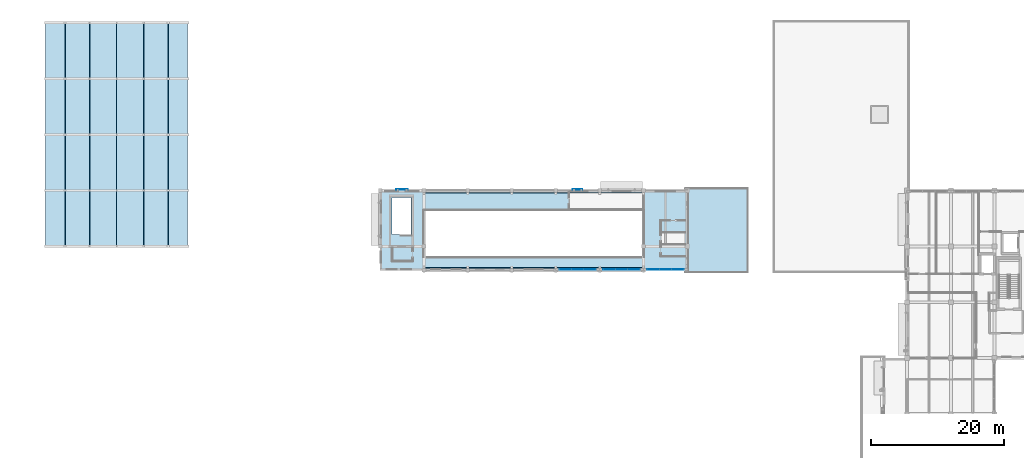
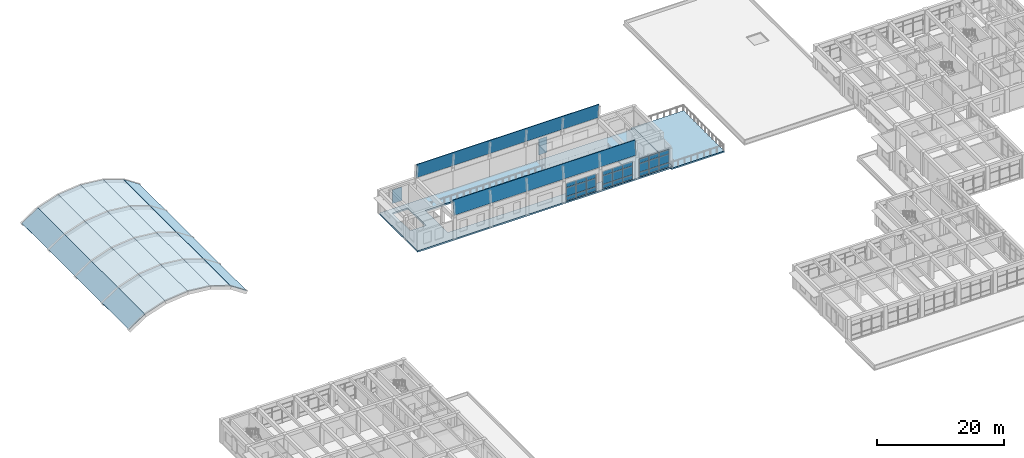
# One storey, part 22 of 50: 29 plates, 10 slabs, 3 elements without a shape of their own.
"""IFC4 building model written with IfcOpenShell, lengths in metres."""

from ifc_helpers import new_model, si_unit, direction, frame, origin, origin_2d, place, context, subcontext, project, spatial, polyline, rectangle, outline, extrude, material, layer, layer_set, type_object, element, aggregate, save


model = new_model("IFC4")

# Units and contexts
model_context = context("Model", 3, precision=1e-05, world=origin(), true_north=direction((0.0, 1.0)))
body_context = subcontext(model_context, "Body", "Model", "MODEL_VIEW")
ifc_project = project(units=[si_unit("LENGTHUNIT", "METRE"), si_unit("AREAUNIT", "SQUARE_METRE"), si_unit("VOLUMEUNIT", "CUBIC_METRE"), si_unit("PLANEANGLEUNIT", "RADIAN"), si_unit("MASSUNIT", "GRAM", prefix="KILO")], contexts=[model_context])

# Site, building, storey
site_placement = place(None, origin())
site = spatial("IfcSite", under=ifc_project, at=site_placement, CompositionType="ELEMENT")
building_placement = place(site_placement, origin())
building = spatial("IfcBuilding", under=site, at=building_placement, Name="Kolvaren Faculty of Natural Sciences", CompositionType="ELEMENT")
storey_placement = place(building_placement, frame((0.0, 0.0, 15.0)))
storey = spatial("IfcBuildingStorey", under=building, at=storey_placement, Name="L03", CompositionType="ELEMENT", Elevation=15.0)

# Slabs
ifc_material_1 = material(Name="Concrete C40/50", Category="concrete")
ifc_layer_1 = layer(ifc_material_1, 0.110107421875)
ifc_layer_set_1 = layer_set([ifc_layer_1], Name="Concrete C40/50")
slab_type_1 = type_object("IfcSlabType", Name="BarrelShellStrip_110", PredefinedType="ROOF", material=ifc_layer_set_1)
slab_1_placement = place(storey_placement, frame((9.321044921875, 75.800048828125, 0.37255859375), z_axis=(-0.554700196225, 0.0, 0.832050294338), x_axis=(0.832050294338, 0.0, 0.554700196225)))
element("IfcSlab", 1, at=slab_1_placement, inside=storey, type_object=slab_type_1, Name="Lecture Theatre Pavilion Barrel Vault Shell vault strip 3", PredefinedType="ROOF", context=body_context, shape_type="SweptSolid", body=[
    extrude(outline(polyline([(0.0, 0.0), (3.509602767401105, 0.0), (3.509602767401105, 33.59985351562501), (0.0, 33.59985351562501), (0.0, 0.0)])), origin(), (0.0, 0.0, -1.0), 0.110107421875),
])
slab_2_placement = place(storey_placement, frame((12.2412109375, 75.800048828125, 2.3193359375), z_axis=(-0.321650441301, 0.0, 0.946858486581), x_axis=(0.946858486581, 0.0, 0.321650441301)))
element("IfcSlab", 2, at=slab_2_placement, inside=storey, type_object=slab_type_1, Name="Lecture Theatre Pavilion Barrel Vault Shell vault strip 4", PredefinedType="ROOF", context=body_context, shape_type="SweptSolid", body=[
    extrude(outline(polyline([(0.0, 0.0), (3.8862063889680702, 0.0), (3.8862063889680702, 33.599853515625), (0.0, 33.599853515625), (0.0, 0.0)])), origin(), (0.0, 0.0, -1.0), 0.110107421875),
])
for number, where, z_axis, x_axis, name in (
    (3, (15.9208984375, 75.800048828125, 3.5693359375), (-0.10499461351, 0.0, 0.994472790545), (0.994472790545, 0.0, 0.10499461351), "Lecture Theatre Pavilion Barrel Vault Shell vault strip 5"),
    (4, (20.0, 75.800048828125, 4.0), (0.10499461351, 0.0, 0.994472790545), (0.994472790545, 0.0, -0.10499461351), "Lecture Theatre Pavilion Barrel Vault Shell vault strip 6"),
):
    element("IfcSlab", number, at=place(storey_placement, frame(where, z_axis=z_axis, x_axis=x_axis)), inside=storey, type_object=slab_type_1, Name=name, PredefinedType="ROOF", context=body_context, shape_type="SweptSolid", body=[
        extrude(outline(polyline([(0.0, 0.0), (4.101772920569707, 0.0), (4.101772920569707, 33.599853515625), (0.0, 33.599853515625), (0.0, 0.0)])), origin(), (0.0, 0.0, -1.0), 0.110107421875),
    ])
slab_3_placement = place(storey_placement, frame((24.0791015625, 75.800048828125, 3.5693359375), z_axis=(0.321650441301, 0.0, 0.946858486581), x_axis=(0.946858486581, 0.0, -0.321650441301)))
element("IfcSlab", 5, at=slab_3_placement, inside=storey, type_object=slab_type_1, Name="Lecture Theatre Pavilion Barrel Vault Shell vault strip 7", PredefinedType="ROOF", context=body_context, shape_type="SweptSolid", body=[
    extrude(outline(polyline([(0.0, 0.0), (3.8862063889680702, 0.0), (3.8862063889680702, 33.599853515625), (0.0, 33.599853515625), (0.0, 0.0)])), origin(), (0.0, 0.0, -1.0), 0.110107421875),
])
slab_4_placement = place(storey_placement, frame((27.7587890625, 75.800048828125, 2.3193359375), z_axis=(0.554700196225, 0.0, 0.832050294338), x_axis=(0.832050294338, 0.0, -0.554700196225)))
element("IfcSlab", 6, at=slab_4_placement, inside=storey, type_object=slab_type_1, Name="Lecture Theatre Pavilion Barrel Vault Shell vault strip 8", PredefinedType="ROOF", context=body_context, shape_type="SweptSolid", body=[
    extrude(outline(polyline([(0.0, 0.0), (3.509602767401105, 0.0), (3.509602767401105, 33.59985351562501), (0.0, 33.59985351562501), (0.0, 0.0)])), origin(), (0.0, 0.0, -1.0), 0.110107421875),
])
for number, where, z_axis, x_axis, name in (
    (7, (66.199951171875, 72.199951171875, 4.4599609375), (0.0, -0.994382807069, 0.105843436286), (1.0, 0.0, 0.0), "Central Sky-Lit Atrium Barrel Vault Shell vault strip 1"),
    (8, (66.199951171875, 83.90625, 7.21923828125), (0.0, 0.994382807069, 0.105843436286), (1.0, 0.0, 0.0), "Central Sky-Lit Atrium Barrel Vault Shell vault strip 10"),
):
    element("IfcSlab", number, at=place(storey_placement, frame(where, z_axis=z_axis, x_axis=x_axis)), inside=storey, type_object=slab_type_1, Name=name, PredefinedType="ROOF", context=body_context, shape_type="SweptSolid", body=[
        extrude(outline(polyline([(0.0, 0.0), (33.0, 0.0), (33.0, 2.7748642918335316), (0.0, 2.7748642918335316), (0.0, 0.0)])), origin(), (0.0, 0.0, -1.0), 0.110107421875),
    ])

# Curtain wall, plates
ifc_material_2 = material(Name="Thermally broken anodised aluminium framing", Category="aluminium")
ifc_layer_2 = layer(ifc_material_2, 0.179931640625)
ifc_layer_set_2 = layer_set([ifc_layer_2], Name="Thermally broken anodised aluminium framing")
curtain_wall_type = type_object("IfcCurtainWallType", Name="AtriumCurtainWall_CW01", PredefinedType="NOTDEFINED", material=ifc_layer_set_2)
curtain_wall_1_placement = place(storey_placement, origin())
curtain_wall_1 = element("IfcCurtainWall", 9, at=curtain_wall_1_placement, inside=storey, type_object=curtain_wall_type, Name="L03 unitised curtain wall CW-01 (CW-L03-164)", PredefinedType="NOTDEFINED")
ifc_material_3 = material(Name="Double low-E solar control insulated glazing", Category="glass")
ifc_layer_3 = layer(ifc_material_3, 0.035888671875)
ifc_layer_set_3 = layer_set([ifc_layer_3], Name="Double low-E solar control insulated glazing")
plate_type_1 = type_object("IfcPlateType", Name="EnvelopePlate_CWPGL1", PredefinedType="CURTAIN_PANEL", material=ifc_layer_set_3)
plate_1_placement = place(storey_placement, frame((104.333251953125, 72.340087890625, 0.919921875), z_axis=(0.0, 0.0, 1.0), x_axis=(-1.0, 0.0, 0.0)))
plate_1 = element("IfcPlate", 10, at=plate_1_placement, type_object=plate_type_1, Name="CW-L03-164 panel 1 V1", PredefinedType="CURTAIN_PANEL", context=body_context, shape_type="SweptSolid", body=[
    extrude(rectangle(XDim=1.783203125, YDim=0.035888671875, at=origin_2d()), origin(), (0.0, 0.0, 1.0), 1.64501953125),
])
plate_2_placement = place(storey_placement, frame((102.5, 72.340087890625, 0.919921875), z_axis=(0.0, 0.0, 1.0), x_axis=(-1.0, 0.0, 0.0)))
plate_2 = element("IfcPlate", 11, at=plate_2_placement, type_object=plate_type_1, Name="CW-L03-164 panel 2 V1", PredefinedType="CURTAIN_PANEL", context=body_context, shape_type="SweptSolid", body=[
    extrude(rectangle(XDim=1.783203125, YDim=0.035888671875, at=origin_2d()), origin(), (0.0, 0.0, 1.0), 1.64501953125),
])
plate_3_placement = place(storey_placement, frame((100.666748046875, 72.340087890625, 0.919921875), z_axis=(0.0, 0.0, 1.0), x_axis=(-1.0, 0.0, 0.0)))
plate_3 = element("IfcPlate", 12, at=plate_3_placement, type_object=plate_type_1, Name="CW-L03-164 panel 3 V1", PredefinedType="CURTAIN_PANEL", context=body_context, shape_type="SweptSolid", body=[
    extrude(rectangle(XDim=1.783203125, YDim=0.035888671875, at=origin_2d()), origin(), (0.0, 0.0, 1.0), 1.64501953125),
])

curtain_wall_2_placement = place(storey_placement, origin())
curtain_wall_2 = element("IfcCurtainWall", 13, at=curtain_wall_2_placement, inside=storey, type_object=curtain_wall_type, Name="L03 unitised curtain wall CW-01 (CW-L03-165)", PredefinedType="NOTDEFINED")
plate_4_placement = place(storey_placement, frame((97.7333984375, 72.340087890625, 0.919921875), z_axis=(0.0, 0.0, 1.0), x_axis=(-1.0, 0.0, 0.0)))
plate_4 = element("IfcPlate", 14, at=plate_4_placement, type_object=plate_type_1, Name="CW-L03-165 panel 1 V1", PredefinedType="CURTAIN_PANEL", context=body_context, shape_type="SweptSolid", body=[
    extrude(rectangle(XDim=1.783203125, YDim=0.035888671875, at=origin_2d()), origin(), (0.0, 0.0, 1.0), 1.64501953125),
])
plate_5_placement = place(storey_placement, frame((95.89990234375, 72.340087890625, 0.919921875), z_axis=(0.0, 0.0, 1.0), x_axis=(-1.0, 0.0, 0.0)))
plate_5 = element("IfcPlate", 15, at=plate_5_placement, type_object=plate_type_1, Name="CW-L03-165 panel 2 V1", PredefinedType="CURTAIN_PANEL", context=body_context, shape_type="SweptSolid", body=[
    extrude(rectangle(XDim=1.783203125, YDim=0.035888671875, at=origin_2d()), origin(), (0.0, 0.0, 1.0), 1.64501953125),
])
plate_6_placement = place(storey_placement, frame((94.066650390625, 72.340087890625, 0.919921875), z_axis=(0.0, 0.0, 1.0), x_axis=(-1.0, 0.0, 0.0)))
plate_6 = element("IfcPlate", 16, at=plate_6_placement, type_object=plate_type_1, Name="CW-L03-165 panel 3 V1", PredefinedType="CURTAIN_PANEL", context=body_context, shape_type="SweptSolid", body=[
    extrude(rectangle(XDim=1.783203125, YDim=0.035888671875, at=origin_2d()), origin(), (0.0, 0.0, 1.0), 1.64501953125),
])

curtain_wall_3_placement = place(storey_placement, origin())
curtain_wall_3 = element("IfcCurtainWall", 17, at=curtain_wall_3_placement, inside=storey, type_object=curtain_wall_type, Name="L03 unitised curtain wall CW-01 (CW-L03-166)", PredefinedType="NOTDEFINED")
plate_7_placement = place(storey_placement, frame((91.13330078125, 72.340087890625, 0.919921875), z_axis=(0.0, 0.0, 1.0), x_axis=(-1.0, 0.0, 0.0)))
plate_7 = element("IfcPlate", 18, at=plate_7_placement, type_object=plate_type_1, Name="CW-L03-166 panel 1 V1", PredefinedType="CURTAIN_PANEL", context=body_context, shape_type="SweptSolid", body=[
    extrude(rectangle(XDim=1.783203125, YDim=0.035888671875, at=origin_2d()), origin(), (0.0, 0.0, 1.0), 1.64501953125),
])
plate_8_placement = place(storey_placement, frame((89.300048828125, 72.340087890625, 0.919921875), z_axis=(0.0, 0.0, 1.0), x_axis=(-1.0, 0.0, 0.0)))
plate_8 = element("IfcPlate", 19, at=plate_8_placement, type_object=plate_type_1, Name="CW-L03-166 panel 2 V1", PredefinedType="CURTAIN_PANEL", context=body_context, shape_type="SweptSolid", body=[
    extrude(rectangle(XDim=1.783203125, YDim=0.035888671875, at=origin_2d()), origin(), (0.0, 0.0, 1.0), 1.64501953125),
])
plate_9_placement = place(storey_placement, frame((87.466796875, 72.340087890625, 0.919921875), z_axis=(0.0, 0.0, 1.0), x_axis=(-1.0, 0.0, 0.0)))
plate_9 = element("IfcPlate", 20, at=plate_9_placement, type_object=plate_type_1, Name="CW-L03-166 panel 3 V1", PredefinedType="CURTAIN_PANEL", context=body_context, shape_type="SweptSolid", body=[
    extrude(rectangle(XDim=1.783203125, YDim=0.035888671875, at=origin_2d()), origin(), (0.0, 0.0, 1.0), 1.64501953125),
])

# Plate
ifc_layer_4 = layer(ifc_material_3, 0.035888671875)
ifc_layer_set_4 = layer_set([ifc_layer_4], Name="Double low-E solar control insulated glazing")
plate_type_2 = type_object("IfcPlateType", Name="EnvelopePlate_CWPGL2", PredefinedType="CURTAIN_PANEL", material=ifc_layer_set_4)
plate_10_placement = place(storey_placement, frame((104.333251953125, 72.340087890625, 2.60498046875), z_axis=(0.0, 0.0, 1.0), x_axis=(-1.0, 0.0, 0.0)))
plate_10 = element("IfcPlate", 21, at=plate_10_placement, type_object=plate_type_2, Name="CW-L03-164 panel 1 V2", PredefinedType="CURTAIN_PANEL", context=body_context, shape_type="SweptSolid", body=[
    extrude(rectangle(XDim=1.783203125, YDim=0.035888671875, at=origin_2d()), origin(), (0.0, 0.0, 1.0), 0.830078125),
])

plate_11_placement = place(storey_placement, frame((102.5, 72.340087890625, 2.60498046875), z_axis=(0.0, 0.0, 1.0), x_axis=(-1.0, 0.0, 0.0)))
plate_11 = element("IfcPlate", 22, at=plate_11_placement, type_object=plate_type_2, Name="CW-L03-164 panel 2 V2", PredefinedType="CURTAIN_PANEL", context=body_context, shape_type="SweptSolid", body=[
    extrude(rectangle(XDim=1.783203125, YDim=0.035888671875, at=origin_2d()), origin(), (0.0, 0.0, 1.0), 0.830078125),
])

plate_12_placement = place(storey_placement, frame((100.666748046875, 72.340087890625, 2.60498046875), z_axis=(0.0, 0.0, 1.0), x_axis=(-1.0, 0.0, 0.0)))
plate_12 = element("IfcPlate", 23, at=plate_12_placement, type_object=plate_type_2, Name="CW-L03-164 panel 3 V2", PredefinedType="CURTAIN_PANEL", context=body_context, shape_type="SweptSolid", body=[
    extrude(rectangle(XDim=1.783203125, YDim=0.035888671875, at=origin_2d()), origin(), (0.0, 0.0, 1.0), 0.830078125),
])

plate_13_placement = place(storey_placement, frame((97.7333984375, 72.340087890625, 2.60498046875), z_axis=(0.0, 0.0, 1.0), x_axis=(-1.0, 0.0, 0.0)))
plate_13 = element("IfcPlate", 24, at=plate_13_placement, type_object=plate_type_2, Name="CW-L03-165 panel 1 V2", PredefinedType="CURTAIN_PANEL", context=body_context, shape_type="SweptSolid", body=[
    extrude(rectangle(XDim=1.783203125, YDim=0.035888671875, at=origin_2d()), origin(), (0.0, 0.0, 1.0), 0.830078125),
])

plate_14_placement = place(storey_placement, frame((95.89990234375, 72.340087890625, 2.60498046875), z_axis=(0.0, 0.0, 1.0), x_axis=(-1.0, 0.0, 0.0)))
plate_14 = element("IfcPlate", 25, at=plate_14_placement, type_object=plate_type_2, Name="CW-L03-165 panel 2 V2", PredefinedType="CURTAIN_PANEL", context=body_context, shape_type="SweptSolid", body=[
    extrude(rectangle(XDim=1.783203125, YDim=0.035888671875, at=origin_2d()), origin(), (0.0, 0.0, 1.0), 0.830078125),
])

plate_15_placement = place(storey_placement, frame((94.066650390625, 72.340087890625, 2.60498046875), z_axis=(0.0, 0.0, 1.0), x_axis=(-1.0, 0.0, 0.0)))
plate_15 = element("IfcPlate", 26, at=plate_15_placement, type_object=plate_type_2, Name="CW-L03-165 panel 3 V2", PredefinedType="CURTAIN_PANEL", context=body_context, shape_type="SweptSolid", body=[
    extrude(rectangle(XDim=1.783203125, YDim=0.035888671875, at=origin_2d()), origin(), (0.0, 0.0, 1.0), 0.830078125),
])

plate_16_placement = place(storey_placement, frame((91.13330078125, 72.340087890625, 2.60498046875), z_axis=(0.0, 0.0, 1.0), x_axis=(-1.0, 0.0, 0.0)))
plate_16 = element("IfcPlate", 27, at=plate_16_placement, type_object=plate_type_2, Name="CW-L03-166 panel 1 V2", PredefinedType="CURTAIN_PANEL", context=body_context, shape_type="SweptSolid", body=[
    extrude(rectangle(XDim=1.783203125, YDim=0.035888671875, at=origin_2d()), origin(), (0.0, 0.0, 1.0), 0.830078125),
])

plate_17_placement = place(storey_placement, frame((89.300048828125, 72.340087890625, 2.60498046875), z_axis=(0.0, 0.0, 1.0), x_axis=(-1.0, 0.0, 0.0)))
plate_17 = element("IfcPlate", 28, at=plate_17_placement, type_object=plate_type_2, Name="CW-L03-166 panel 2 V2", PredefinedType="CURTAIN_PANEL", context=body_context, shape_type="SweptSolid", body=[
    extrude(rectangle(XDim=1.783203125, YDim=0.035888671875, at=origin_2d()), origin(), (0.0, 0.0, 1.0), 0.830078125),
])

plate_18_placement = place(storey_placement, frame((87.466796875, 72.340087890625, 2.60498046875), z_axis=(0.0, 0.0, 1.0), x_axis=(-1.0, 0.0, 0.0)))
plate_18 = element("IfcPlate", 29, at=plate_18_placement, type_object=plate_type_2, Name="CW-L03-166 panel 3 V2", PredefinedType="CURTAIN_PANEL", context=body_context, shape_type="SweptSolid", body=[
    extrude(rectangle(XDim=1.783203125, YDim=0.035888671875, at=origin_2d()), origin(), (0.0, 0.0, 1.0), 0.830078125),
])

ifc_material_4 = material(Name="Insulated anodised aluminium spandrel panel", Category="aluminium")
ifc_layer_5 = layer(ifc_material_4, 0.050048828125)
ifc_layer_set_5 = layer_set([ifc_layer_5], Name="Insulated anodised aluminium spandrel panel")
plate_type_3 = type_object("IfcPlateType", Name="EnvelopePlate_CWPSP1", PredefinedType="SHEET", material=ifc_layer_set_5)
plate_19_placement = place(storey_placement, frame((104.333251953125, 72.340087890625, 0.10009765625), z_axis=(0.0, 0.0, 1.0), x_axis=(-1.0, 0.0, 0.0)))
plate_19 = element("IfcPlate", 30, at=plate_19_placement, type_object=plate_type_3, Name="CW-L03-164 panel 1 SP", PredefinedType="SHEET", context=body_context, shape_type="SweptSolid", body=[
    extrude(rectangle(XDim=1.783203125, YDim=0.050048828125, at=origin_2d()), origin(), (0.0, 0.0, 1.0), 0.780029296875),
])

plate_20_placement = place(storey_placement, frame((102.5, 72.340087890625, 0.10009765625), z_axis=(0.0, 0.0, 1.0), x_axis=(-1.0, 0.0, 0.0)))
plate_20 = element("IfcPlate", 31, at=plate_20_placement, type_object=plate_type_3, Name="CW-L03-164 panel 2 SP", PredefinedType="SHEET", context=body_context, shape_type="SweptSolid", body=[
    extrude(rectangle(XDim=1.783203125, YDim=0.050048828125, at=origin_2d()), origin(), (0.0, 0.0, 1.0), 0.780029296875),
])

plate_21_placement = place(storey_placement, frame((100.666748046875, 72.340087890625, 0.10009765625), z_axis=(0.0, 0.0, 1.0), x_axis=(-1.0, 0.0, 0.0)))
plate_21 = element("IfcPlate", 32, at=plate_21_placement, type_object=plate_type_3, Name="CW-L03-164 panel 3 SP", PredefinedType="SHEET", context=body_context, shape_type="SweptSolid", body=[
    extrude(rectangle(XDim=1.783203125, YDim=0.050048828125, at=origin_2d()), origin(), (0.0, 0.0, 1.0), 0.780029296875),
])

aggregate(curtain_wall_1, [plate_19, plate_1, plate_10, plate_20, plate_2, plate_11, plate_21, plate_3, plate_12])

plate_22_placement = place(storey_placement, frame((97.7333984375, 72.340087890625, 0.10009765625), z_axis=(0.0, 0.0, 1.0), x_axis=(-1.0, 0.0, 0.0)))
plate_22 = element("IfcPlate", 33, at=plate_22_placement, type_object=plate_type_3, Name="CW-L03-165 panel 1 SP", PredefinedType="SHEET", context=body_context, shape_type="SweptSolid", body=[
    extrude(rectangle(XDim=1.783203125, YDim=0.050048828125, at=origin_2d()), origin(), (0.0, 0.0, 1.0), 0.780029296875),
])

plate_23_placement = place(storey_placement, frame((95.89990234375, 72.340087890625, 0.10009765625), z_axis=(0.0, 0.0, 1.0), x_axis=(-1.0, 0.0, 0.0)))
plate_23 = element("IfcPlate", 34, at=plate_23_placement, type_object=plate_type_3, Name="CW-L03-165 panel 2 SP", PredefinedType="SHEET", context=body_context, shape_type="SweptSolid", body=[
    extrude(rectangle(XDim=1.783203125, YDim=0.050048828125, at=origin_2d()), origin(), (0.0, 0.0, 1.0), 0.780029296875),
])

plate_24_placement = place(storey_placement, frame((94.066650390625, 72.340087890625, 0.10009765625), z_axis=(0.0, 0.0, 1.0), x_axis=(-1.0, 0.0, 0.0)))
plate_24 = element("IfcPlate", 35, at=plate_24_placement, type_object=plate_type_3, Name="CW-L03-165 panel 3 SP", PredefinedType="SHEET", context=body_context, shape_type="SweptSolid", body=[
    extrude(rectangle(XDim=1.783203125, YDim=0.050048828125, at=origin_2d()), origin(), (0.0, 0.0, 1.0), 0.780029296875),
])

aggregate(curtain_wall_2, [plate_22, plate_4, plate_13, plate_23, plate_5, plate_14, plate_24, plate_6, plate_15])

plate_25_placement = place(storey_placement, frame((91.13330078125, 72.340087890625, 0.10009765625), z_axis=(0.0, 0.0, 1.0), x_axis=(-1.0, 0.0, 0.0)))
plate_25 = element("IfcPlate", 36, at=plate_25_placement, type_object=plate_type_3, Name="CW-L03-166 panel 1 SP", PredefinedType="SHEET", context=body_context, shape_type="SweptSolid", body=[
    extrude(rectangle(XDim=1.783203125, YDim=0.050048828125, at=origin_2d()), origin(), (0.0, 0.0, 1.0), 0.780029296875),
])

plate_26_placement = place(storey_placement, frame((89.300048828125, 72.340087890625, 0.10009765625), z_axis=(0.0, 0.0, 1.0), x_axis=(-1.0, 0.0, 0.0)))
plate_26 = element("IfcPlate", 37, at=plate_26_placement, type_object=plate_type_3, Name="CW-L03-166 panel 2 SP", PredefinedType="SHEET", context=body_context, shape_type="SweptSolid", body=[
    extrude(rectangle(XDim=1.783203125, YDim=0.050048828125, at=origin_2d()), origin(), (0.0, 0.0, 1.0), 0.780029296875),
])

plate_27_placement = place(storey_placement, frame((87.466796875, 72.340087890625, 0.10009765625), z_axis=(0.0, 0.0, 1.0), x_axis=(-1.0, 0.0, 0.0)))
plate_27 = element("IfcPlate", 38, at=plate_27_placement, type_object=plate_type_3, Name="CW-L03-166 panel 3 SP", PredefinedType="SHEET", context=body_context, shape_type="SweptSolid", body=[
    extrude(rectangle(XDim=1.783203125, YDim=0.050048828125, at=origin_2d()), origin(), (0.0, 0.0, 1.0), 0.780029296875),
])

aggregate(curtain_wall_3, [plate_25, plate_7, plate_16, plate_26, plate_8, plate_17, plate_27, plate_9, plate_18])

# Plates
ifc_material_5 = material(Name="Extruded architectural terracotta screen", Category="masonry")
ifc_layer_6 = layer(ifc_material_5, 0.06494140625)
ifc_layer_set_6 = layer_set([ifc_layer_6], Name="Extruded architectural terracotta screen")
plate_type_4 = type_object("IfcPlateType", Name="EnvelopePlate_JL02", PredefinedType="USERDEFINED", material=ifc_layer_set_6)
plate_28_placement = place(storey_placement, frame((62.89990234375, 84.340087890625, 0.849853515625), z_axis=(0.0, 0.0, 1.0), x_axis=(1.0, 0.0, 0.0)))
element("IfcPlate", 39, at=plate_28_placement, inside=storey, type_object=plate_type_4, Name="L03 perforated terracotta jali sun screen JL-02", ObjectType="SCREEN", PredefinedType="USERDEFINED", context=body_context, shape_type="SweptSolid", body=[
    extrude(rectangle(XDim=1.75, YDim=0.06494140625, at=origin_2d()), origin(), (0.0, 0.0, 1.0), 2.60009765625),
])
ifc_layer_7 = layer(ifc_material_5, 0.06494140625)
ifc_layer_set_7 = layer_set([ifc_layer_7], Name="Extruded architectural terracotta screen")
plate_type_5 = type_object("IfcPlateType", Name="EnvelopePlate_JL03", PredefinedType="USERDEFINED", material=ifc_layer_set_7)
plate_29_placement = place(storey_placement, frame((89.300048828125, 84.340087890625, 0.85009765625), z_axis=(0.0, 0.0, 1.0), x_axis=(1.0, 0.0, 0.0)))
element("IfcPlate", 40, at=plate_29_placement, inside=storey, type_object=plate_type_5, Name="L03 perforated terracotta jali sun screen JL-03", ObjectType="SCREEN", PredefinedType="USERDEFINED", context=body_context, shape_type="SweptSolid", body=[
    extrude(rectangle(XDim=1.449951171875, YDim=0.06494140625, at=origin_2d()), origin(), (0.0, 0.0, 1.0), 3.034912109375),
])

# Slabs
ifc_material_6 = material(Name="Concrete C35/45", Category="concrete")
ifc_layer_8 = layer(ifc_material_6, 0.300048828125)
ifc_layer_set_8 = layer_set([ifc_layer_8], Name="Concrete C35/45")
slab_type_2 = type_object("IfcSlabType", Name="LabFloorSlab_300", PredefinedType="FLOOR", material=ifc_layer_set_8)
slab_5_placement = place(storey_placement, frame((0.0, 0.0, -0.300048828125)))
element("IfcSlab", 41, at=slab_5_placement, inside=storey, type_object=slab_type_2, Name="L03 V3 structural slab 1", PredefinedType="FLOOR", context=body_context, shape_type="SweptSolid", body=[
    extrude(outline(polyline([(59.60009765625, 72.199951171875), (59.60009765625, 84.199951171875), (105.800048828125, 84.199951171875), (105.800048828125, 72.199951171875), (59.60009765625, 72.199951171875)]), holes=[polyline([(99.199951171875, 81.199951171875), (66.199951171875, 81.199951171875), (66.199951171875, 74.199951171875), (99.199951171875, 74.199951171875), (99.199951171875, 81.199951171875)]), polyline([(64.22998046875, 83.1298828125), (61.3701171875, 83.1298828125), (61.3701171875, 77.570068359375), (64.22998046875, 77.570068359375), (64.22998046875, 83.1298828125)])]), origin(), (0.0, 0.0, 1.0), 0.300048828125),
])
ifc_layer_9 = layer(ifc_material_6, 0.27001953125)
ifc_layer_set_9 = layer_set([ifc_layer_9], Name="Concrete C35/45")
slab_type_3 = type_object("IfcSlabType", Name="PlantedTerraceSlab_270", PredefinedType="FLOOR", material=ifc_layer_set_9)
slab_6_placement = place(storey_placement, frame((0.0, 0.0, -0.27001953125)))
element("IfcSlab", 42, at=slab_6_placement, inside=storey, type_object=slab_type_3, Name="Atrium East Roof Terrace", PredefinedType="FLOOR", context=body_context, shape_type="SweptSolid", body=[
    extrude(outline(polyline([(105.419921875, 71.820068359375), (105.419921875, 72.18994140625), (105.800048828125, 72.18994140625), (105.801025390625, 72.18994140625), (105.802001953125, 72.190185546875), (105.802978515625, 72.1904296875), (105.8037109375, 72.19091796875), (105.8046875, 72.191162109375), (105.8056640625, 72.191650390625), (105.806396484375, 72.1923828125), (105.80712890625, 72.19287109375), (105.8076171875, 72.193603515625), (105.808349609375, 72.1943359375), (105.808837890625, 72.1953125), (105.80908203125, 72.1962890625), (105.8095703125, 72.197021484375), (105.809814453125, 72.197998046875), (105.81005859375, 72.198974609375), (105.81005859375, 72.199951171875), (105.81005859375, 84.199951171875), (105.81005859375, 84.200927734375), (105.809814453125, 84.201904296875), (105.8095703125, 84.202880859375), (105.80908203125, 84.203857421875), (105.808837890625, 84.20458984375), (105.808349609375, 84.20556640625), (105.8076171875, 84.206298828125), (105.80712890625, 84.20703125), (105.806396484375, 84.207763671875), (105.8056640625, 84.208251953125), (105.8046875, 84.208740234375), (105.8037109375, 84.209228515625), (105.802978515625, 84.209716796875), (105.802001953125, 84.209716796875), (105.801025390625, 84.2099609375), (105.800048828125, 84.2099609375), (105.419921875, 84.2099609375), (105.419921875, 84.580078125), (114.97998046875, 84.580078125), (114.97998046875, 71.820068359375), (105.419921875, 71.820068359375)])), origin(), (0.0, 0.0, 1.0), 0.27001953125),
])

save(model, "model.ifc")
